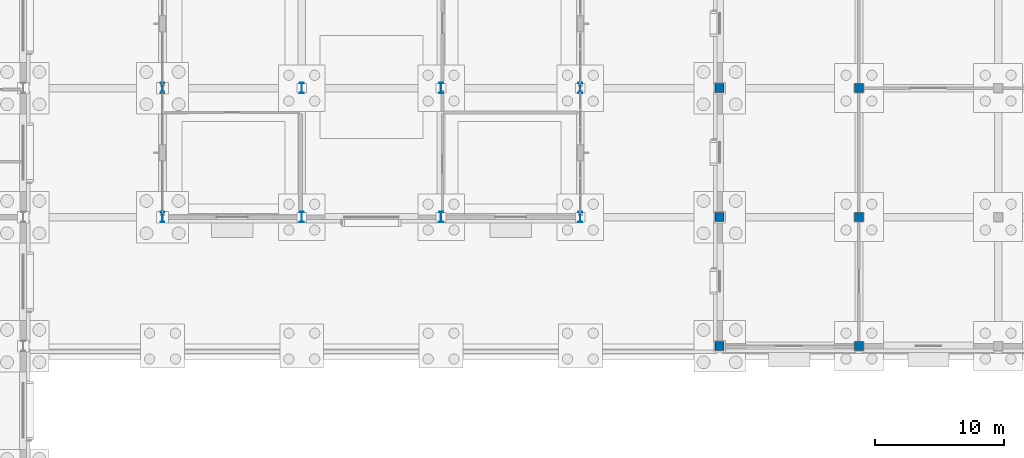
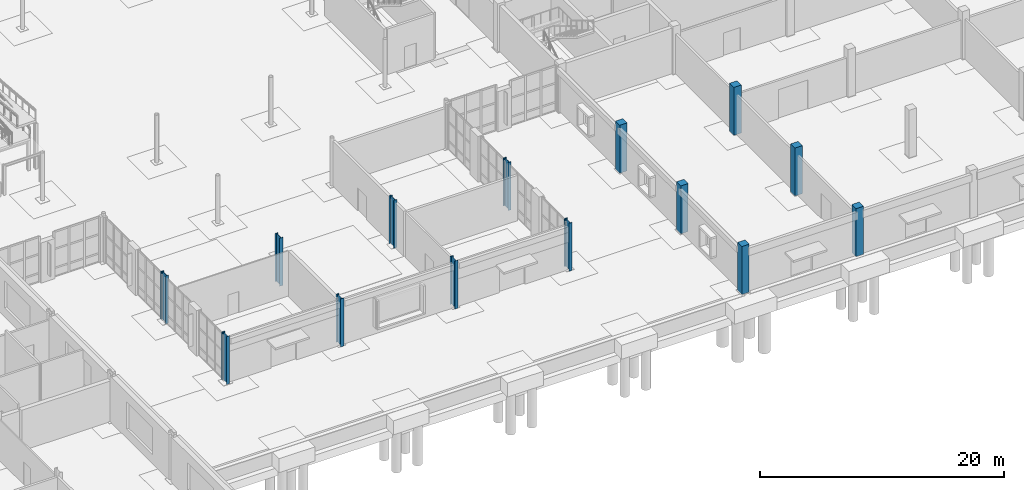
# One storey, part 12 of 73: 14 columns.
"""IFC4 building model written with IfcOpenShell, lengths in metres."""

from ifc_helpers import new_model, si_unit, direction, frame, origin, origin_2d, place, context, subcontext, project, spatial, rectangle, i_section, extrude, material, material_profile, profile_set, type_object, element, save


model = new_model("IFC4")

# Units and contexts
model_context = context("Model", 3, precision=1e-05, world=origin(), true_north=direction((0.0, 1.0)))
body_context = subcontext(model_context, "Body", "Model", "MODEL_VIEW")
ifc_project = project(units=[si_unit("LENGTHUNIT", "METRE"), si_unit("AREAUNIT", "SQUARE_METRE"), si_unit("VOLUMEUNIT", "CUBIC_METRE"), si_unit("PLANEANGLEUNIT", "RADIAN"), si_unit("MASSUNIT", "GRAM", prefix="KILO")], contexts=[model_context])

# Site, building, storey
site_placement = place(None, origin())
site = spatial("IfcSite", under=ifc_project, at=site_placement, CompositionType="ELEMENT")
building_placement = place(site_placement, origin())
building = spatial("IfcBuilding", under=site, at=building_placement, Name="Tasgan Crest Museum", CompositionType="ELEMENT")
storey_placement = place(building_placement, origin())
storey = spatial("IfcBuildingStorey", under=building, at=storey_placement, Name="L00", CompositionType="ELEMENT", Elevation=0.0)

# Columns
ifc_material_1 = material(Name="Steel S355K2", Category="steel")
ifc_material_profile_1 = material_profile(ifc_material_1, i_section(OverallWidth=0.300048828125, OverallDepth=0.800048828125, WebThickness=0.017578125, FlangeThickness=0.032958984375, FilletRadius=0.030029296875, at=origin_2d()), Name="HEB 800")
ifc_profile_set_1 = profile_set([ifc_material_profile_1], Name="Steel S355K2")
column_type_1 = type_object("IfcColumnType", Name="COL-HEB800", PredefinedType="COLUMN", material=ifc_profile_set_1)
for number, where, z_axis, x_axis, name in (
    (1, (64.800048828125, 20.0, 0.0), (0.0, 0.0, 1.0), (1.0, 0.0, 0.0), "Column 7/C L00"),
    (2, (64.800048828125, 30.0, 0.0), (0.0, 0.0, 1.0), (1.0, 0.0, 0.0), "Column 7/D L00"),
    (3, (75.60009765625, 20.0, 0.0), (0.0, 0.0, 1.0), (1.0, 0.0, 0.0), "Column 8/C L00"),
    (4, (75.60009765625, 30.0, 0.0), (0.0, 0.0, 1.0), (1.0, 0.0, 0.0), "Column 8/D L00"),
    (5, (86.39990234375, 20.0, 0.0), (0.0, 0.0, 1.0), (1.0, 0.0, 0.0), "Column 9/C L00"),
    (6, (86.39990234375, 30.0, 0.0), (0.0, 0.0, 1.0), (1.0, 0.0, 0.0), "Column 9/D L00"),
    (7, (97.199951171875, 20.0, 0.0), (0.0, 0.0, 1.0), (1.0, 0.0, 0.0), "Column 10/C L00"),
    (8, (97.199951171875, 30.0, 0.0), (0.0, 0.0, 1.0), (1.0, 0.0, 0.0), "Column 10/D L00"),
):
    element("IfcColumn", number, at=place(storey_placement, frame(where, z_axis=z_axis, x_axis=x_axis)), inside=storey, type_object=column_type_1, Name=name, PredefinedType="COLUMN", context=body_context, shape_type="SweptSolid", body=[
        extrude(i_section(OverallWidth=0.300048828125, OverallDepth=0.800048828125, WebThickness=0.017578125, FlangeThickness=0.032958984375, FilletRadius=0.030029296875, at=origin_2d()), origin(), (0.0, 0.0, 1.0), 4.800048828125),
    ])
ifc_material_2 = material(Name="Concrete C40/50", Category="concrete")
ifc_material_profile_2 = material_profile(ifc_material_2, rectangle(XDim=0.699951171875, YDim=0.699951171875, at=origin_2d()), Name="RC 700x700")
ifc_profile_set_2 = profile_set([ifc_material_profile_2], Name="Concrete C40/50")
column_type_2 = type_object("IfcColumnType", Name="COL-RC700", PredefinedType="COLUMN", material=ifc_profile_set_2)
for number, where, z_axis, x_axis, name in (
    (9, (108.0, 10.0, 0.0), (0.0, 0.0, 1.0), (1.0, 0.0, 0.0), "Column 11/B L00"),
    (10, (108.0, 20.0, 0.0), (0.0, 0.0, 1.0), (1.0, 0.0, 0.0), "Column 11/C L00"),
    (11, (108.0, 30.0, 0.0), (0.0, 0.0, 1.0), (1.0, 0.0, 0.0), "Column 11/D L00"),
    (12, (118.800048828125, 10.0, 0.0), (0.0, 0.0, 1.0), (1.0, 0.0, 0.0), "Column 12/B L00"),
    (13, (118.800048828125, 20.0, 0.0), (0.0, 0.0, 1.0), (1.0, 0.0, 0.0), "Column 12/C L00"),
    (14, (118.800048828125, 30.0, 0.0), (0.0, 0.0, 1.0), (1.0, 0.0, 0.0), "Column 12/D L00"),
):
    element("IfcColumn", number, at=place(storey_placement, frame(where, z_axis=z_axis, x_axis=x_axis)), inside=storey, type_object=column_type_2, Name=name, PredefinedType="COLUMN", context=body_context, shape_type="SweptSolid", body=[
        extrude(rectangle(XDim=0.699951171875, YDim=0.699951171875, at=origin_2d()), origin(), (0.0, 0.0, 1.0), 4.800048828125),
    ])

save(model, "model.ifc")
